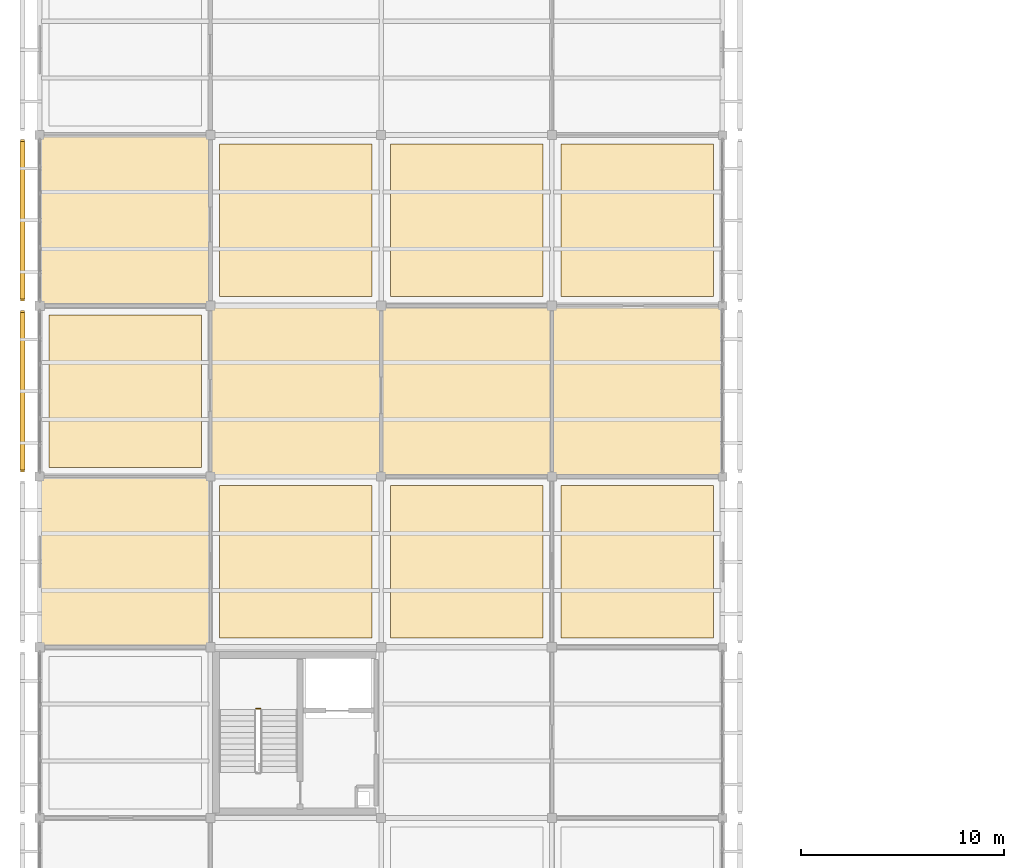
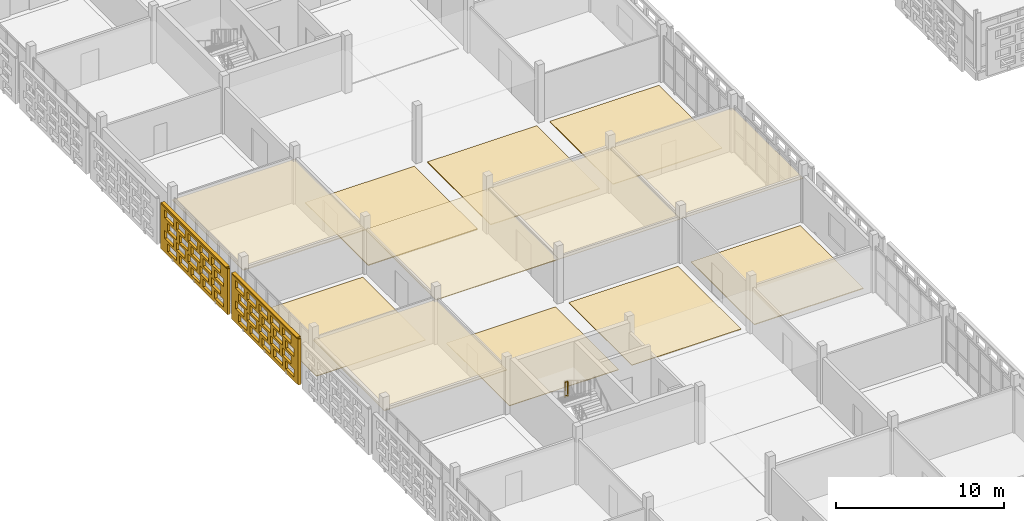
# One storey, part 107 of 140: 14 coverings, 2 shading devices, 1 railing, 40 openings.
"""IFC4 building model written with IfcOpenShell, lengths in metres."""

from ifc_helpers import new_model, si_unit, direction, frame, frame_2d, origin, origin_2d, place, context, subcontext, project, spatial, rectangle, circle, extrude, material, layer, layer_set, type_object, element, save


model = new_model("IFC4")

# Units and contexts
model_context = context("Model", 3, precision=1e-05, world=origin(), true_north=direction((0.0, 1.0)))
body_context = subcontext(model_context, "Body", "Model", "MODEL_VIEW")
ifc_project = project(units=[si_unit("LENGTHUNIT", "METRE"), si_unit("AREAUNIT", "SQUARE_METRE"), si_unit("VOLUMEUNIT", "CUBIC_METRE"), si_unit("PLANEANGLEUNIT", "RADIAN"), si_unit("MASSUNIT", "GRAM", prefix="KILO")], contexts=[model_context])

# Site, building, storey
site_placement = place(None, origin())
site = spatial("IfcSite", under=ifc_project, at=site_placement, CompositionType="ELEMENT")
building_placement = place(site_placement, origin())
building = spatial("IfcBuilding", under=site, at=building_placement, Name="Varnapada Polytechnic", CompositionType="ELEMENT")
storey_placement = place(building_placement, frame((0.0, 0.0, 13.800048828125)))
storey = spatial("IfcBuildingStorey", under=building, at=storey_placement, Name="L03", CompositionType="ELEMENT", Elevation=13.800048828125)

# Coverings
ifc_material_1 = material(Name="Anti-Static Raised Laboratory Flooring")
ifc_layer_1 = layer(ifc_material_1, 0.06005859375)
ifc_layer_set_1 = layer_set([ifc_layer_1], Name="Anti-Static Raised Laboratory Flooring")
covering_type_1 = type_object("IfcCoveringType", Name="Floor Finish FLR-02", PredefinedType="FLOORING", material=ifc_layer_set_1)
for number, where, z_axis, x_axis, name in (
    (1, (12.60009765625, 88.199951171875, 0.0), (0.0, 0.0, 1.0), (1.0, 0.0, 0.0), "L03 floor finish panel (2,11)"),
    (2, (21.0, 88.199951171875, 0.0), (0.0, 0.0, 1.0), (1.0, 0.0, 0.0), "L03 floor finish panel (3,11)"),
    (3, (29.39990234375, 71.39990234375, 0.0), (0.0, 0.0, 1.0), (1.0, 0.0, 0.0), "L03 floor finish panel (4,9)"),
):
    element("IfcCovering", number, at=place(storey_placement, frame(where, z_axis=z_axis, x_axis=x_axis)), inside=storey, type_object=covering_type_1, Name=name, PredefinedType="FLOORING", context=body_context, shape_type="SweptSolid", body=[
        extrude(rectangle(XDim=7.5, YDim=7.5, at=origin_2d()), origin(), (0.0, 0.0, 1.0), 0.06005859375),
    ])
ifc_material_2 = material(Name="End-Grain Timber Studio Block Flooring", Category="wood")
ifc_layer_2 = layer(ifc_material_2, 0.054931640625)
ifc_layer_set_2 = layer_set([ifc_layer_2], Name="End-Grain Timber Studio Block Flooring")
covering_type_2 = type_object("IfcCoveringType", Name="Floor Finish FLR-04", PredefinedType="FLOORING", material=ifc_layer_set_2)
covering_1_placement = place(storey_placement, frame((29.39990234375, 88.199951171875, 0.0), z_axis=(0.0, 0.0, 1.0), x_axis=(1.0, 0.0, 0.0)))
element("IfcCovering", 4, at=covering_1_placement, inside=storey, type_object=covering_type_2, Name="L03 floor finish panel (4,11)", PredefinedType="FLOORING", context=body_context, shape_type="SweptSolid", body=[
    extrude(rectangle(XDim=7.5, YDim=7.5, at=origin_2d()), origin(), (0.0, 0.0, 1.0), 0.054931640625),
])
ifc_material_3 = material(Name="Acoustic Rubber Seminar Flooring")
ifc_layer_3 = layer(ifc_material_3, 0.0400390625)
ifc_layer_set_3 = layer_set([ifc_layer_3], Name="Acoustic Rubber Seminar Flooring")
covering_type_3 = type_object("IfcCoveringType", Name="Floor Finish FLR-06", PredefinedType="FLOORING", material=ifc_layer_set_3)
for number, where, z_axis, x_axis, name in (
    (5, (4.199951171875, 79.800048828125, 0.0), (0.0, 0.0, 1.0), (1.0, 0.0, 0.0), "L03 floor finish panel (1,10)"),
    (6, (12.60009765625, 71.39990234375, 0.0), (0.0, 0.0, 1.0), (1.0, 0.0, 0.0), "L03 floor finish panel (2,9)"),
    (7, (21.0, 71.39990234375, 0.0), (0.0, 0.0, 1.0), (1.0, 0.0, 0.0), "L03 floor finish panel (3,9)"),
):
    element("IfcCovering", number, at=place(storey_placement, frame(where, z_axis=z_axis, x_axis=x_axis)), inside=storey, type_object=covering_type_3, Name=name, PredefinedType="FLOORING", context=body_context, shape_type="SweptSolid", body=[
        extrude(rectangle(XDim=7.5, YDim=7.5, at=origin_2d()), origin(), (0.0, 0.0, 1.0), 0.0400390625),
    ])

# Railing
ifc_material_4 = material(Name="Brushed Stainless Steel 316", Category="steel")
railing_type = type_object("IfcRailingType", Name="Stair Well Guard Rail SGR-01", PredefinedType="BALUSTRADE", material=ifc_material_4)
railing_placement = place(storey_placement, frame((10.85009765625, 64.179931640625, 2.099853515625)))
element("IfcRailing", 8, at=railing_placement, inside=storey, type_object=railing_type, Name="L03 ST-2 stair guard 2", PredefinedType="BALUSTRADE", context=body_context, shape_type="SweptSolid", body=[
    extrude(circle(Radius=0.02392578125, at=origin_2d()), frame((0.0, 0.0, 1.09619140625), z_axis=(-1.0, 0.0, 0.0), x_axis=(0.0, -1.0, 0.0)), (0.0, 0.0, 1.0), 0.2001953125),
    extrude(circle(Radius=0.02392578125, at=origin_2d()), frame((0.0, 0.0, 0.10009765625), z_axis=(-1.0, 0.0, 0.0), x_axis=(0.0, -1.0, 0.0)), (0.0, 0.0, 1.0), 0.2001953125),
    extrude(circle(Radius=0.02099609375, at=origin_2d()), origin(), (0.0, 0.0, 1.0), 1.072021484375),
    extrude(circle(Radius=0.02099609375, at=origin_2d()), frame((-0.2001953125, 0.0, 0.0)), (0.0, 0.0, 1.0), 1.072021484375),
])

# Coverings
ifc_material_5 = material(Name="Moisture-Resistant Aluminum Baffle Ceiling", Category="aluminium")
ifc_layer_4 = layer(ifc_material_5, 0.030029296875)
ifc_layer_set_4 = layer_set([ifc_layer_4], Name="Moisture-Resistant Aluminum Baffle Ceiling")
covering_type_4 = type_object("IfcCoveringType", Name="Suspended Ceiling CLG-03", PredefinedType="CEILING", material=ifc_layer_set_4)
for number, where, z_axis, x_axis, name in (
    (9, (21.0, 79.800048828125, 3.03515625), (0.0, 0.0, 1.0), (1.0, 0.0, 0.0), "L03 suspended acoustic ceiling (3,10)"),
    (10, (29.39990234375, 79.800048828125, 3.03515625), (0.0, 0.0, 1.0), (1.0, 0.0, 0.0), "L03 suspended acoustic ceiling (4,10)"),
):
    element("IfcCovering", number, at=place(storey_placement, frame(where, z_axis=z_axis, x_axis=x_axis)), inside=storey, type_object=covering_type_4, Name=name, PredefinedType="CEILING", context=body_context, shape_type="SweptSolid", body=[
        extrude(rectangle(XDim=8.419921875, YDim=8.419921875, at=origin_2d()), origin(), (0.0, 0.0, 1.0), 0.030029296875),
    ])
ifc_material_6 = material(Name="Slatted Merbau Timber Acoustic Ceiling", Category="wood")
ifc_layer_5 = layer(ifc_material_6, 0.054931640625)
ifc_layer_set_5 = layer_set([ifc_layer_5], Name="Slatted Merbau Timber Acoustic Ceiling")
covering_type_5 = type_object("IfcCoveringType", Name="Suspended Ceiling CLG-05", PredefinedType="CEILING", material=ifc_layer_set_5)
for number, where, z_axis, x_axis, name in (
    (11, (4.199951171875, 71.39990234375, 3.0224609375), (0.0, 0.0, 1.0), (1.0, 0.0, 0.0), "L03 suspended acoustic ceiling (1,9)"),
    (12, (12.60009765625, 79.800048828125, 3.0224609375), (0.0, 0.0, 1.0), (1.0, 0.0, 0.0), "L03 suspended acoustic ceiling (2,10)"),
):
    element("IfcCovering", number, at=place(storey_placement, frame(where, z_axis=z_axis, x_axis=x_axis)), inside=storey, type_object=covering_type_5, Name=name, PredefinedType="CEILING", context=body_context, shape_type="SweptSolid", body=[
        extrude(rectangle(XDim=8.419921875, YDim=8.419921875, at=origin_2d()), origin(), (0.0, 0.0, 1.0), 0.054931640625),
    ])
ifc_material_7 = material(Name="Deep Acoustic Auditorium Cloud Baffle")
ifc_layer_6 = layer(ifc_material_7, 0.06494140625)
ifc_layer_set_6 = layer_set([ifc_layer_6], Name="Deep Acoustic Auditorium Cloud Baffle")
covering_type_6 = type_object("IfcCoveringType", Name="Suspended Ceiling CLG-07", PredefinedType="CEILING", material=ifc_layer_set_6)
covering_2_placement = place(storey_placement, frame((4.199951171875, 88.199951171875, 3.017578125), z_axis=(0.0, 0.0, 1.0), x_axis=(1.0, 0.0, 0.0)))
element("IfcCovering", 13, at=covering_2_placement, inside=storey, type_object=covering_type_6, Name="L03 suspended acoustic ceiling (1,11)", PredefinedType="CEILING", context=body_context, shape_type="SweptSolid", body=[
    extrude(rectangle(XDim=8.419921875, YDim=8.419921875, at=origin_2d()), origin(), (0.0, 0.0, 1.0), 0.06494140625),
])

# Covering, openings
ifc_material_8 = material(Name="Earth-toned architectural terracotta screen block", Category="masonry")
ifc_layer_7 = layer(ifc_material_8, 0.1201171875)
ifc_layer_set_7 = layer_set([ifc_layer_7], Name="Earth-toned architectural terracotta screen block")
covering_type_7 = type_object("IfcCoveringType", Name="Terracotta Screen Cladding CLD-01", PredefinedType="CLADDING", material=ifc_layer_set_7)
covering_3_placement = place(storey_placement, frame((-0.85009765625, 75.820068359375, 0.0), z_axis=(0.0, 0.0, 1.0), x_axis=(0.0, 1.0, 0.0)))
covering_3 = element("IfcCovering", 14, at=covering_3_placement, inside=storey, type_object=covering_type_7, Name="L03 perforated terracotta block screen (6)", PredefinedType="CLADDING", context=body_context, shape_type="SweptSolid", body=[
    extrude(rectangle(XDim=7.949951171875, YDim=0.179931640625, at=frame_2d((3.97509765625, 0.0))), origin(), (0.0, 0.0, 1.0), 3.320068359375),
])
opening_1_placement = place(covering_3_placement, frame((0.47509765625, 0.0, 0.265625)))
element("IfcOpeningElement", 15, at=opening_1_placement, cuts=covering_3, Name="Screen perforation TBS-L03-005.1", PredefinedType="OPENING", context=body_context, shape_type="SweptSolid", body=[
    extrude(rectangle(XDim=1.0400390625, YDim=0.5810546875, at=frame_2d((0.52001953125, 0.29052734375))), frame((0.0, 0.099853515625, 0.0), z_axis=(0.0, -1.0, 0.0), x_axis=(1.0, 0.0, 0.0)), (0.0, 0.0, 1.0), 0.199951171875),
])
opening_2_placement = place(covering_3_placement, frame((1.875, 0.0, 0.265625)))
element("IfcOpeningElement", 16, at=opening_2_placement, cuts=covering_3, Name="Screen perforation TBS-L03-005.2", PredefinedType="OPENING", context=body_context, shape_type="SweptSolid", body=[
    extrude(rectangle(XDim=1.0400390625, YDim=0.5810546875, at=frame_2d((0.52001953125, 0.29052734375))), frame((0.0, 0.099853515625, 0.0), z_axis=(0.0, -1.0, 0.0), x_axis=(1.0, 0.0, 0.0)), (0.0, 0.0, 1.0), 0.199951171875),
])
opening_3_placement = place(covering_3_placement, frame((3.27490234375, 0.0, 0.265625)))
element("IfcOpeningElement", 17, at=opening_3_placement, cuts=covering_3, Name="Screen perforation TBS-L03-005.3", PredefinedType="OPENING", context=body_context, shape_type="SweptSolid", body=[
    extrude(rectangle(XDim=1.0400390625, YDim=0.5810546875, at=frame_2d((0.52001953125, 0.29052734375))), frame((0.0, 0.099853515625, 0.0), z_axis=(0.0, -1.0, 0.0), x_axis=(1.0, 0.0, 0.0)), (0.0, 0.0, 1.0), 0.199951171875),
])
opening_4_placement = place(covering_3_placement, frame((4.675048828125, 0.0, 0.265625)))
element("IfcOpeningElement", 18, at=opening_4_placement, cuts=covering_3, Name="Screen perforation TBS-L03-005.4", PredefinedType="OPENING", context=body_context, shape_type="SweptSolid", body=[
    extrude(rectangle(XDim=1.0400390625, YDim=0.5810546875, at=frame_2d((0.52001953125, 0.29052734375))), frame((0.0, 0.099853515625, 0.0), z_axis=(0.0, -1.0, 0.0), x_axis=(1.0, 0.0, 0.0)), (0.0, 0.0, 1.0), 0.199951171875),
])
opening_5_placement = place(covering_3_placement, frame((6.074951171875, 0.0, 0.265625)))
element("IfcOpeningElement", 19, at=opening_5_placement, cuts=covering_3, Name="Screen perforation TBS-L03-005.5", PredefinedType="OPENING", context=body_context, shape_type="SweptSolid", body=[
    extrude(rectangle(XDim=1.0400390625, YDim=0.5810546875, at=frame_2d((0.52001953125, 0.29052734375))), frame((0.0, 0.099853515625, 0.0), z_axis=(0.0, -1.0, 0.0), x_axis=(1.0, 0.0, 0.0)), (0.0, 0.0, 1.0), 0.199951171875),
])
opening_6_placement = place(covering_3_placement, frame((0.8349609375, 0.0, 1.0126953125)))
element("IfcOpeningElement", 20, at=opening_6_placement, cuts=covering_3, Name="Screen perforation TBS-L03-005.6", PredefinedType="OPENING", context=body_context, shape_type="SweptSolid", body=[
    extrude(rectangle(XDim=1.0400390625, YDim=0.5810546875, at=frame_2d((0.52001953125, 0.29052734375))), frame((0.0, 0.099853515625, 0.0), z_axis=(0.0, -1.0, 0.0), x_axis=(1.0, 0.0, 0.0)), (0.0, 0.0, 1.0), 0.199951171875),
])
opening_7_placement = place(covering_3_placement, frame((2.235107421875, 0.0, 1.0126953125)))
element("IfcOpeningElement", 21, at=opening_7_placement, cuts=covering_3, Name="Screen perforation TBS-L03-005.7", PredefinedType="OPENING", context=body_context, shape_type="SweptSolid", body=[
    extrude(rectangle(XDim=1.0400390625, YDim=0.5810546875, at=frame_2d((0.52001953125, 0.29052734375))), frame((0.0, 0.099853515625, 0.0), z_axis=(0.0, -1.0, 0.0), x_axis=(1.0, 0.0, 0.0)), (0.0, 0.0, 1.0), 0.199951171875),
])
opening_8_placement = place(covering_3_placement, frame((3.635009765625, 0.0, 1.0126953125)))
element("IfcOpeningElement", 22, at=opening_8_placement, cuts=covering_3, Name="Screen perforation TBS-L03-005.8", PredefinedType="OPENING", context=body_context, shape_type="SweptSolid", body=[
    extrude(rectangle(XDim=1.0400390625, YDim=0.5810546875, at=frame_2d((0.52001953125, 0.29052734375))), frame((0.0, 0.099853515625, 0.0), z_axis=(0.0, -1.0, 0.0), x_axis=(1.0, 0.0, 0.0)), (0.0, 0.0, 1.0), 0.199951171875),
])
opening_9_placement = place(covering_3_placement, frame((5.034912109375, 0.0, 1.0126953125)))
element("IfcOpeningElement", 23, at=opening_9_placement, cuts=covering_3, Name="Screen perforation TBS-L03-005.9", PredefinedType="OPENING", context=body_context, shape_type="SweptSolid", body=[
    extrude(rectangle(XDim=1.0400390625, YDim=0.5810546875, at=frame_2d((0.52001953125, 0.29052734375))), frame((0.0, 0.099853515625, 0.0), z_axis=(0.0, -1.0, 0.0), x_axis=(1.0, 0.0, 0.0)), (0.0, 0.0, 1.0), 0.199951171875),
])
opening_10_placement = place(covering_3_placement, frame((6.43505859375, 0.0, 1.0126953125)))
element("IfcOpeningElement", 24, at=opening_10_placement, cuts=covering_3, Name="Screen perforation TBS-L03-005.10", PredefinedType="OPENING", context=body_context, shape_type="SweptSolid", body=[
    extrude(rectangle(XDim=1.0400390625, YDim=0.5810546875, at=frame_2d((0.52001953125, 0.29052734375))), frame((0.0, 0.099853515625, 0.0), z_axis=(0.0, -1.0, 0.0), x_axis=(1.0, 0.0, 0.0)), (0.0, 0.0, 1.0), 0.199951171875),
])
opening_11_placement = place(covering_3_placement, frame((0.47509765625, 0.0, 1.759521484375)))
element("IfcOpeningElement", 25, at=opening_11_placement, cuts=covering_3, Name="Screen perforation TBS-L03-005.11", PredefinedType="OPENING", context=body_context, shape_type="SweptSolid", body=[
    extrude(rectangle(XDim=1.0400390625, YDim=0.5810546875, at=frame_2d((0.52001953125, 0.29052734375))), frame((0.0, 0.099853515625, 0.0), z_axis=(0.0, -1.0, 0.0), x_axis=(1.0, 0.0, 0.0)), (0.0, 0.0, 1.0), 0.199951171875),
])
opening_12_placement = place(covering_3_placement, frame((1.875, 0.0, 1.759521484375)))
element("IfcOpeningElement", 26, at=opening_12_placement, cuts=covering_3, Name="Screen perforation TBS-L03-005.12", PredefinedType="OPENING", context=body_context, shape_type="SweptSolid", body=[
    extrude(rectangle(XDim=1.0400390625, YDim=0.5810546875, at=frame_2d((0.52001953125, 0.29052734375))), frame((0.0, 0.099853515625, 0.0), z_axis=(0.0, -1.0, 0.0), x_axis=(1.0, 0.0, 0.0)), (0.0, 0.0, 1.0), 0.199951171875),
])
opening_13_placement = place(covering_3_placement, frame((3.27490234375, 0.0, 1.759521484375)))
element("IfcOpeningElement", 27, at=opening_13_placement, cuts=covering_3, Name="Screen perforation TBS-L03-005.13", PredefinedType="OPENING", context=body_context, shape_type="SweptSolid", body=[
    extrude(rectangle(XDim=1.0400390625, YDim=0.5810546875, at=frame_2d((0.52001953125, 0.29052734375))), frame((0.0, 0.099853515625, 0.0), z_axis=(0.0, -1.0, 0.0), x_axis=(1.0, 0.0, 0.0)), (0.0, 0.0, 1.0), 0.199951171875),
])
opening_14_placement = place(covering_3_placement, frame((4.675048828125, 0.0, 1.759521484375)))
element("IfcOpeningElement", 28, at=opening_14_placement, cuts=covering_3, Name="Screen perforation TBS-L03-005.14", PredefinedType="OPENING", context=body_context, shape_type="SweptSolid", body=[
    extrude(rectangle(XDim=1.0400390625, YDim=0.5810546875, at=frame_2d((0.52001953125, 0.29052734375))), frame((0.0, 0.099853515625, 0.0), z_axis=(0.0, -1.0, 0.0), x_axis=(1.0, 0.0, 0.0)), (0.0, 0.0, 1.0), 0.199951171875),
])
opening_15_placement = place(covering_3_placement, frame((6.074951171875, 0.0, 1.759521484375)))
element("IfcOpeningElement", 29, at=opening_15_placement, cuts=covering_3, Name="Screen perforation TBS-L03-005.15", PredefinedType="OPENING", context=body_context, shape_type="SweptSolid", body=[
    extrude(rectangle(XDim=1.0400390625, YDim=0.5810546875, at=frame_2d((0.52001953125, 0.29052734375))), frame((0.0, 0.099853515625, 0.0), z_axis=(0.0, -1.0, 0.0), x_axis=(1.0, 0.0, 0.0)), (0.0, 0.0, 1.0), 0.199951171875),
])
opening_16_placement = place(covering_3_placement, frame((0.8349609375, 0.0, 2.506591796875)))
element("IfcOpeningElement", 30, at=opening_16_placement, cuts=covering_3, Name="Screen perforation TBS-L03-005.16", PredefinedType="OPENING", context=body_context, shape_type="SweptSolid", body=[
    extrude(rectangle(XDim=1.0400390625, YDim=0.5810546875, at=frame_2d((0.52001953125, 0.29052734375))), frame((0.0, 0.099853515625, 0.0), z_axis=(0.0, -1.0, 0.0), x_axis=(1.0, 0.0, 0.0)), (0.0, 0.0, 1.0), 0.199951171875),
])
opening_17_placement = place(covering_3_placement, frame((2.235107421875, 0.0, 2.506591796875)))
element("IfcOpeningElement", 31, at=opening_17_placement, cuts=covering_3, Name="Screen perforation TBS-L03-005.17", PredefinedType="OPENING", context=body_context, shape_type="SweptSolid", body=[
    extrude(rectangle(XDim=1.0400390625, YDim=0.5810546875, at=frame_2d((0.52001953125, 0.29052734375))), frame((0.0, 0.099853515625, 0.0), z_axis=(0.0, -1.0, 0.0), x_axis=(1.0, 0.0, 0.0)), (0.0, 0.0, 1.0), 0.199951171875),
])
opening_18_placement = place(covering_3_placement, frame((3.635009765625, 0.0, 2.506591796875)))
element("IfcOpeningElement", 32, at=opening_18_placement, cuts=covering_3, Name="Screen perforation TBS-L03-005.18", PredefinedType="OPENING", context=body_context, shape_type="SweptSolid", body=[
    extrude(rectangle(XDim=1.0400390625, YDim=0.5810546875, at=frame_2d((0.52001953125, 0.29052734375))), frame((0.0, 0.099853515625, 0.0), z_axis=(0.0, -1.0, 0.0), x_axis=(1.0, 0.0, 0.0)), (0.0, 0.0, 1.0), 0.199951171875),
])
opening_19_placement = place(covering_3_placement, frame((5.034912109375, 0.0, 2.506591796875)))
element("IfcOpeningElement", 33, at=opening_19_placement, cuts=covering_3, Name="Screen perforation TBS-L03-005.19", PredefinedType="OPENING", context=body_context, shape_type="SweptSolid", body=[
    extrude(rectangle(XDim=1.0400390625, YDim=0.5810546875, at=frame_2d((0.52001953125, 0.29052734375))), frame((0.0, 0.099853515625, 0.0), z_axis=(0.0, -1.0, 0.0), x_axis=(1.0, 0.0, 0.0)), (0.0, 0.0, 1.0), 0.199951171875),
])
opening_20_placement = place(covering_3_placement, frame((6.43505859375, 0.0, 2.506591796875)))
element("IfcOpeningElement", 34, at=opening_20_placement, cuts=covering_3, Name="Screen perforation TBS-L03-005.20", PredefinedType="OPENING", context=body_context, shape_type="SweptSolid", body=[
    extrude(rectangle(XDim=1.0400390625, YDim=0.5810546875, at=frame_2d((0.52001953125, 0.29052734375))), frame((0.0, 0.099853515625, 0.0), z_axis=(0.0, -1.0, 0.0), x_axis=(1.0, 0.0, 0.0)), (0.0, 0.0, 1.0), 0.199951171875),
])

covering_4_placement = place(storey_placement, frame((-0.85009765625, 84.22998046875, 0.0), z_axis=(0.0, 0.0, 1.0), x_axis=(0.0, 1.0, 0.0)))
covering_4 = element("IfcCovering", 35, at=covering_4_placement, inside=storey, type_object=covering_type_7, Name="L03 perforated terracotta block screen (7)", PredefinedType="CLADDING", context=body_context, shape_type="SweptSolid", body=[
    extrude(rectangle(XDim=7.949951171875, YDim=0.179931640625, at=frame_2d((3.97509765625, 0.0))), origin(), (0.0, 0.0, 1.0), 3.320068359375),
])
opening_21_placement = place(covering_4_placement, frame((0.47509765625, 0.0, 0.265625)))
element("IfcOpeningElement", 36, at=opening_21_placement, cuts=covering_4, Name="Screen perforation TBS-L03-006.1", PredefinedType="OPENING", context=body_context, shape_type="SweptSolid", body=[
    extrude(rectangle(XDim=1.0400390625, YDim=0.5810546875, at=frame_2d((0.52001953125, 0.29052734375))), frame((0.0, 0.099853515625, 0.0), z_axis=(0.0, -1.0, 0.0), x_axis=(1.0, 0.0, 0.0)), (0.0, 0.0, 1.0), 0.199951171875),
])
opening_22_placement = place(covering_4_placement, frame((1.875, 0.0, 0.265625)))
element("IfcOpeningElement", 37, at=opening_22_placement, cuts=covering_4, Name="Screen perforation TBS-L03-006.2", PredefinedType="OPENING", context=body_context, shape_type="SweptSolid", body=[
    extrude(rectangle(XDim=1.0400390625, YDim=0.5810546875, at=frame_2d((0.52001953125, 0.29052734375))), frame((0.0, 0.099853515625, 0.0), z_axis=(0.0, -1.0, 0.0), x_axis=(1.0, 0.0, 0.0)), (0.0, 0.0, 1.0), 0.199951171875),
])
opening_23_placement = place(covering_4_placement, frame((3.27490234375, 0.0, 0.265625)))
element("IfcOpeningElement", 38, at=opening_23_placement, cuts=covering_4, Name="Screen perforation TBS-L03-006.3", PredefinedType="OPENING", context=body_context, shape_type="SweptSolid", body=[
    extrude(rectangle(XDim=1.0400390625, YDim=0.5810546875, at=frame_2d((0.52001953125, 0.29052734375))), frame((0.0, 0.099853515625, 0.0), z_axis=(0.0, -1.0, 0.0), x_axis=(1.0, 0.0, 0.0)), (0.0, 0.0, 1.0), 0.199951171875),
])
opening_24_placement = place(covering_4_placement, frame((4.675048828125, 0.0, 0.265625)))
element("IfcOpeningElement", 39, at=opening_24_placement, cuts=covering_4, Name="Screen perforation TBS-L03-006.4", PredefinedType="OPENING", context=body_context, shape_type="SweptSolid", body=[
    extrude(rectangle(XDim=1.0400390625, YDim=0.5810546875, at=frame_2d((0.52001953125, 0.29052734375))), frame((0.0, 0.099853515625, 0.0), z_axis=(0.0, -1.0, 0.0), x_axis=(1.0, 0.0, 0.0)), (0.0, 0.0, 1.0), 0.199951171875),
])
opening_25_placement = place(covering_4_placement, frame((6.074951171875, 0.0, 0.265625)))
element("IfcOpeningElement", 40, at=opening_25_placement, cuts=covering_4, Name="Screen perforation TBS-L03-006.5", PredefinedType="OPENING", context=body_context, shape_type="SweptSolid", body=[
    extrude(rectangle(XDim=1.0400390625, YDim=0.5810546875, at=frame_2d((0.52001953125, 0.29052734375))), frame((0.0, 0.099853515625, 0.0), z_axis=(0.0, -1.0, 0.0), x_axis=(1.0, 0.0, 0.0)), (0.0, 0.0, 1.0), 0.199951171875),
])
opening_26_placement = place(covering_4_placement, frame((0.8349609375, 0.0, 1.0126953125)))
element("IfcOpeningElement", 41, at=opening_26_placement, cuts=covering_4, Name="Screen perforation TBS-L03-006.6", PredefinedType="OPENING", context=body_context, shape_type="SweptSolid", body=[
    extrude(rectangle(XDim=1.0400390625, YDim=0.5810546875, at=frame_2d((0.52001953125, 0.29052734375))), frame((0.0, 0.099853515625, 0.0), z_axis=(0.0, -1.0, 0.0), x_axis=(1.0, 0.0, 0.0)), (0.0, 0.0, 1.0), 0.199951171875),
])
opening_27_placement = place(covering_4_placement, frame((2.235107421875, 0.0, 1.0126953125)))
element("IfcOpeningElement", 42, at=opening_27_placement, cuts=covering_4, Name="Screen perforation TBS-L03-006.7", PredefinedType="OPENING", context=body_context, shape_type="SweptSolid", body=[
    extrude(rectangle(XDim=1.0400390625, YDim=0.5810546875, at=frame_2d((0.52001953125, 0.29052734375))), frame((0.0, 0.099853515625, 0.0), z_axis=(0.0, -1.0, 0.0), x_axis=(1.0, 0.0, 0.0)), (0.0, 0.0, 1.0), 0.199951171875),
])
opening_28_placement = place(covering_4_placement, frame((3.635009765625, 0.0, 1.0126953125)))
element("IfcOpeningElement", 43, at=opening_28_placement, cuts=covering_4, Name="Screen perforation TBS-L03-006.8", PredefinedType="OPENING", context=body_context, shape_type="SweptSolid", body=[
    extrude(rectangle(XDim=1.0400390625, YDim=0.5810546875, at=frame_2d((0.52001953125, 0.29052734375))), frame((0.0, 0.099853515625, 0.0), z_axis=(0.0, -1.0, 0.0), x_axis=(1.0, 0.0, 0.0)), (0.0, 0.0, 1.0), 0.199951171875),
])
opening_29_placement = place(covering_4_placement, frame((5.034912109375, 0.0, 1.0126953125)))
element("IfcOpeningElement", 44, at=opening_29_placement, cuts=covering_4, Name="Screen perforation TBS-L03-006.9", PredefinedType="OPENING", context=body_context, shape_type="SweptSolid", body=[
    extrude(rectangle(XDim=1.0400390625, YDim=0.5810546875, at=frame_2d((0.52001953125, 0.29052734375))), frame((0.0, 0.099853515625, 0.0), z_axis=(0.0, -1.0, 0.0), x_axis=(1.0, 0.0, 0.0)), (0.0, 0.0, 1.0), 0.199951171875),
])
opening_30_placement = place(covering_4_placement, frame((6.43505859375, 0.0, 1.0126953125)))
element("IfcOpeningElement", 45, at=opening_30_placement, cuts=covering_4, Name="Screen perforation TBS-L03-006.10", PredefinedType="OPENING", context=body_context, shape_type="SweptSolid", body=[
    extrude(rectangle(XDim=1.0400390625, YDim=0.5810546875, at=frame_2d((0.52001953125, 0.29052734375))), frame((0.0, 0.099853515625, 0.0), z_axis=(0.0, -1.0, 0.0), x_axis=(1.0, 0.0, 0.0)), (0.0, 0.0, 1.0), 0.199951171875),
])
opening_31_placement = place(covering_4_placement, frame((0.47509765625, 0.0, 1.759521484375)))
element("IfcOpeningElement", 46, at=opening_31_placement, cuts=covering_4, Name="Screen perforation TBS-L03-006.11", PredefinedType="OPENING", context=body_context, shape_type="SweptSolid", body=[
    extrude(rectangle(XDim=1.0400390625, YDim=0.5810546875, at=frame_2d((0.52001953125, 0.29052734375))), frame((0.0, 0.099853515625, 0.0), z_axis=(0.0, -1.0, 0.0), x_axis=(1.0, 0.0, 0.0)), (0.0, 0.0, 1.0), 0.199951171875),
])
opening_32_placement = place(covering_4_placement, frame((1.875, 0.0, 1.759521484375)))
element("IfcOpeningElement", 47, at=opening_32_placement, cuts=covering_4, Name="Screen perforation TBS-L03-006.12", PredefinedType="OPENING", context=body_context, shape_type="SweptSolid", body=[
    extrude(rectangle(XDim=1.0400390625, YDim=0.5810546875, at=frame_2d((0.52001953125, 0.29052734375))), frame((0.0, 0.099853515625, 0.0), z_axis=(0.0, -1.0, 0.0), x_axis=(1.0, 0.0, 0.0)), (0.0, 0.0, 1.0), 0.199951171875),
])
opening_33_placement = place(covering_4_placement, frame((3.27490234375, 0.0, 1.759521484375)))
element("IfcOpeningElement", 48, at=opening_33_placement, cuts=covering_4, Name="Screen perforation TBS-L03-006.13", PredefinedType="OPENING", context=body_context, shape_type="SweptSolid", body=[
    extrude(rectangle(XDim=1.0400390625, YDim=0.5810546875, at=frame_2d((0.52001953125, 0.29052734375))), frame((0.0, 0.099853515625, 0.0), z_axis=(0.0, -1.0, 0.0), x_axis=(1.0, 0.0, 0.0)), (0.0, 0.0, 1.0), 0.199951171875),
])
opening_34_placement = place(covering_4_placement, frame((4.675048828125, 0.0, 1.759521484375)))
element("IfcOpeningElement", 49, at=opening_34_placement, cuts=covering_4, Name="Screen perforation TBS-L03-006.14", PredefinedType="OPENING", context=body_context, shape_type="SweptSolid", body=[
    extrude(rectangle(XDim=1.0400390625, YDim=0.5810546875, at=frame_2d((0.52001953125, 0.29052734375))), frame((0.0, 0.099853515625, 0.0), z_axis=(0.0, -1.0, 0.0), x_axis=(1.0, 0.0, 0.0)), (0.0, 0.0, 1.0), 0.199951171875),
])
opening_35_placement = place(covering_4_placement, frame((6.074951171875, 0.0, 1.759521484375)))
element("IfcOpeningElement", 50, at=opening_35_placement, cuts=covering_4, Name="Screen perforation TBS-L03-006.15", PredefinedType="OPENING", context=body_context, shape_type="SweptSolid", body=[
    extrude(rectangle(XDim=1.0400390625, YDim=0.5810546875, at=frame_2d((0.52001953125, 0.29052734375))), frame((0.0, 0.099853515625, 0.0), z_axis=(0.0, -1.0, 0.0), x_axis=(1.0, 0.0, 0.0)), (0.0, 0.0, 1.0), 0.199951171875),
])
opening_36_placement = place(covering_4_placement, frame((0.8349609375, 0.0, 2.506591796875)))
element("IfcOpeningElement", 51, at=opening_36_placement, cuts=covering_4, Name="Screen perforation TBS-L03-006.16", PredefinedType="OPENING", context=body_context, shape_type="SweptSolid", body=[
    extrude(rectangle(XDim=1.0400390625, YDim=0.5810546875, at=frame_2d((0.52001953125, 0.29052734375))), frame((0.0, 0.099853515625, 0.0), z_axis=(0.0, -1.0, 0.0), x_axis=(1.0, 0.0, 0.0)), (0.0, 0.0, 1.0), 0.199951171875),
])
opening_37_placement = place(covering_4_placement, frame((2.235107421875, 0.0, 2.506591796875)))
element("IfcOpeningElement", 52, at=opening_37_placement, cuts=covering_4, Name="Screen perforation TBS-L03-006.17", PredefinedType="OPENING", context=body_context, shape_type="SweptSolid", body=[
    extrude(rectangle(XDim=1.0400390625, YDim=0.5810546875, at=frame_2d((0.52001953125, 0.29052734375))), frame((0.0, 0.099853515625, 0.0), z_axis=(0.0, -1.0, 0.0), x_axis=(1.0, 0.0, 0.0)), (0.0, 0.0, 1.0), 0.199951171875),
])
opening_38_placement = place(covering_4_placement, frame((3.635009765625, 0.0, 2.506591796875)))
element("IfcOpeningElement", 53, at=opening_38_placement, cuts=covering_4, Name="Screen perforation TBS-L03-006.18", PredefinedType="OPENING", context=body_context, shape_type="SweptSolid", body=[
    extrude(rectangle(XDim=1.0400390625, YDim=0.5810546875, at=frame_2d((0.52001953125, 0.29052734375))), frame((0.0, 0.099853515625, 0.0), z_axis=(0.0, -1.0, 0.0), x_axis=(1.0, 0.0, 0.0)), (0.0, 0.0, 1.0), 0.199951171875),
])
opening_39_placement = place(covering_4_placement, frame((5.034912109375, 0.0, 2.506591796875)))
element("IfcOpeningElement", 54, at=opening_39_placement, cuts=covering_4, Name="Screen perforation TBS-L03-006.19", PredefinedType="OPENING", context=body_context, shape_type="SweptSolid", body=[
    extrude(rectangle(XDim=1.0400390625, YDim=0.5810546875, at=frame_2d((0.52001953125, 0.29052734375))), frame((0.0, 0.099853515625, 0.0), z_axis=(0.0, -1.0, 0.0), x_axis=(1.0, 0.0, 0.0)), (0.0, 0.0, 1.0), 0.199951171875),
])
opening_40_placement = place(covering_4_placement, frame((6.43505859375, 0.0, 2.506591796875)))
element("IfcOpeningElement", 55, at=opening_40_placement, cuts=covering_4, Name="Screen perforation TBS-L03-006.20", PredefinedType="OPENING", context=body_context, shape_type="SweptSolid", body=[
    extrude(rectangle(XDim=1.0400390625, YDim=0.5810546875, at=frame_2d((0.52001953125, 0.29052734375))), frame((0.0, 0.099853515625, 0.0), z_axis=(0.0, -1.0, 0.0), x_axis=(1.0, 0.0, 0.0)), (0.0, 0.0, 1.0), 0.199951171875),
])

# Shading devices
ifc_layer_8 = layer(ifc_material_8, 0.179931640625)
ifc_layer_set_8 = layer_set([ifc_layer_8], Name="Earth-toned architectural terracotta screen block")
shading_device_type = type_object("IfcShadingDeviceType", Name="Terracotta Screen SCR-01", PredefinedType="USERDEFINED", material=ifc_layer_set_8)
for number, where, z_axis, x_axis, name in (
    (56, (-0.85009765625, 79.794921875, 3.309814453125), (0.0, 0.0, 1.0), (0.0, 1.0, 0.0), "L03 perforated terracotta screen hood 341"),
    (57, (-0.85009765625, 88.205078125, 3.309814453125), (0.0, 0.0, 1.0), (0.0, 1.0, 0.0), "L03 perforated terracotta screen hood 342"),
):
    element("IfcShadingDevice", number, at=place(storey_placement, frame(where, z_axis=z_axis, x_axis=x_axis)), inside=storey, type_object=shading_device_type, Name=name, ObjectType="SCREEN", PredefinedType="USERDEFINED", context=body_context, shape_type="SweptSolid", body=[
        extrude(rectangle(XDim=7.75, YDim=0.239990234375, at=origin_2d()), origin(), (0.0, 0.0, 1.0), 0.10009765625),
    ])

save(model, "model.ifc")
